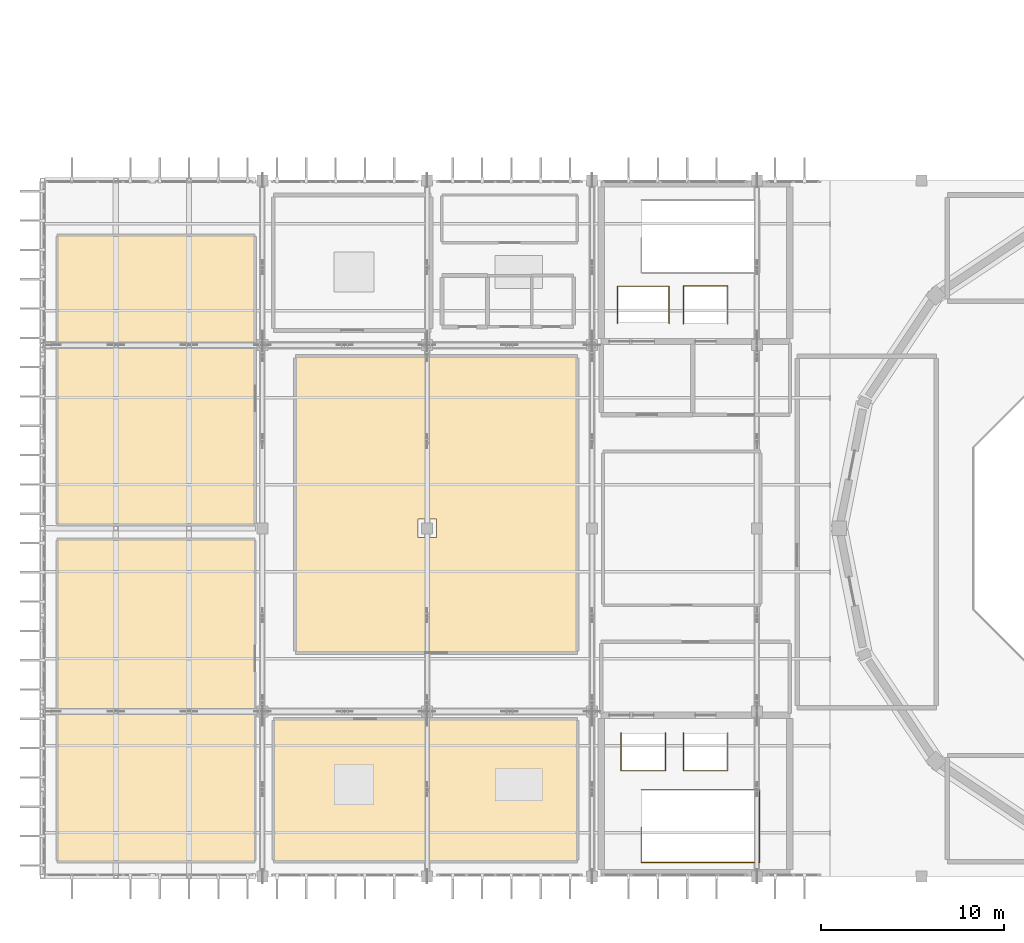
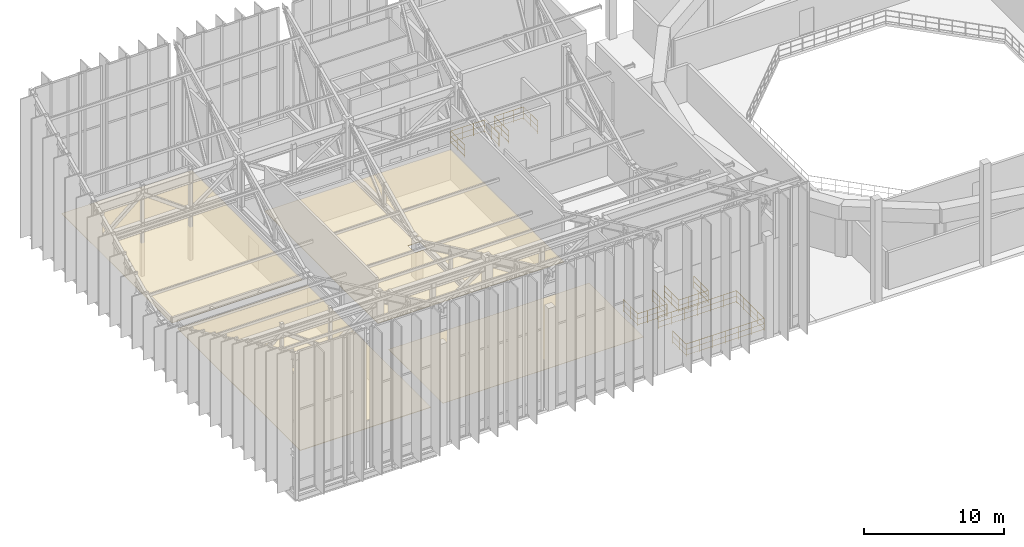
# One storey, part 66 of 68: 5 railings, 4 coverings.
"""IFC4 building model written with IfcOpenShell, lengths in metres."""

from ifc_helpers import new_model, si_unit, direction, frame, origin, origin_2d, place, context, subcontext, project, spatial, polyline, circle, outline, extrude, material, layer, layer_set, type_object, element, save


model = new_model("IFC4")

# Units and contexts
model_context = context("Model", 3, precision=1e-05, world=origin(), true_north=direction((0.0, 1.0)))
body_context = subcontext(model_context, "Body", "Model", "MODEL_VIEW")
ifc_project = project(units=[si_unit("LENGTHUNIT", "METRE"), si_unit("AREAUNIT", "SQUARE_METRE"), si_unit("VOLUMEUNIT", "CUBIC_METRE"), si_unit("PLANEANGLEUNIT", "RADIAN"), si_unit("MASSUNIT", "GRAM", prefix="KILO")], contexts=[model_context])

# Site, building, storey
site_placement = place(None, origin())
site = spatial("IfcSite", under=ifc_project, at=site_placement, CompositionType="ELEMENT")
building_placement = place(site_placement, origin())
building = spatial("IfcBuilding", under=site, at=building_placement, Name="Miravela Opera House", CompositionType="ELEMENT")
storey_placement = place(building_placement, frame((0.0, 0.0, 21.760009765625)))
storey = spatial("IfcBuildingStorey", under=building, at=storey_placement, Name="L05", CompositionType="ELEMENT", Elevation=21.760009765625)

# Coverings
ifc_material_1 = material(Name="Perforated hardwood acoustic reflector ceiling", Category="wood")
ifc_layer_1 = layer(ifc_material_1, 0.031982421875)
ifc_layer_set_1 = layer_set([ifc_layer_1])
covering_type_1 = type_object("IfcCoveringType", Name="ARC-CEIL-ACOUSTIC-32", PredefinedType="CEILING", material=ifc_layer_set_1)
covering_1_placement = place(storey_placement, frame((0.0, 0.0, 2.869873046875)))
element("IfcCovering", 1, at=covering_1_placement, inside=storey, type_object=covering_type_1, Name="Archival Libretto Reading Room Acoustic Ceiling", PredefinedType="CEILING", context=body_context, shape_type="SweptSolid", body=[
    extrude(outline(polyline([(15.800048828125, 56.199951171875), (26.60009765625, 56.199951171875), (26.60009765625, 72.0), (15.800048828125, 72.0), (15.800048828125, 56.199951171875)])), origin(), (0.0, 0.0, 1.0), 0.0322265625),
])
ifc_material_2 = material(Name="Mineral-wool studio acoustic ceiling cloud")
ifc_layer_2 = layer(ifc_material_2, 0.050048828125)
ifc_layer_set_2 = layer_set([ifc_layer_2])
covering_type_2 = type_object("IfcCoveringType", Name="ARC-CEIL-BAFFLE-50", PredefinedType="CEILING", material=ifc_layer_set_2)
covering_2_placement = place(storey_placement, frame((0.0, 0.0, 2.869873046875)))
element("IfcCovering", 2, at=covering_2_placement, inside=storey, type_object=covering_type_2, Name="Chamber Music Ensemble Studio Acoustic Ceiling", PredefinedType="CEILING", context=body_context, shape_type="SweptSolid", body=[
    extrude(outline(polyline([(15.800048828125, 37.800048828125), (26.60009765625, 37.800048828125), (26.60009765625, 55.39990234375), (15.800048828125, 55.39990234375), (15.800048828125, 37.800048828125)])), origin(), (0.0, 0.0, 1.0), 0.050048828125),
])
ifc_material_3 = material(Name="Spanish Colonial coffered lime-plaster ceiling")
ifc_layer_3 = layer(ifc_material_3, 0.0419921875)
ifc_layer_set_3 = layer_set([ifc_layer_3])
covering_type_3 = type_object("IfcCoveringType", Name="ARC-CEIL-COFFER-42", PredefinedType="CEILING", material=ifc_layer_set_3)
covering_3_placement = place(storey_placement, frame((0.0, 0.0, 2.531005859375)))
element("IfcCovering", 3, at=covering_3_placement, inside=storey, type_object=covering_type_3, Name="Dramaturgy and Libretto Research Office Acoustic Ceiling", PredefinedType="CEILING", context=body_context, shape_type="SweptSolid", body=[
    extrude(outline(polyline([(28.800048828125, 49.199951171875), (44.199951171875, 49.199951171875), (44.199951171875, 65.39990234375), (28.800048828125, 65.39990234375), (28.800048828125, 49.199951171875)]), holes=[polyline([(35.49560546875, 55.49560546875), (36.50439453125, 55.49560546875), (36.50439453125, 56.50439453125), (35.49560546875, 56.50439453125), (35.49560546875, 55.49560546875)])]), origin(), (0.0, 0.0, 1.0), 0.0419921875),
])
ifc_material_4 = material(Name="Suspended acoustic gypsum board ceiling")
ifc_layer_4 = layer(ifc_material_4, 0.02392578125)
ifc_layer_set_4 = layer_set([ifc_layer_4])
covering_type_4 = type_object("IfcCoveringType", Name="ARC-CEIL-GYPSUM-24", PredefinedType="CEILING", material=ifc_layer_set_4)
covering_4_placement = place(storey_placement, frame((0.0, 0.0, 2.869873046875)))
element("IfcCovering", 4, at=covering_4_placement, inside=storey, type_object=covering_type_4, Name="Acoustic Recording and Mastering Suite Acoustic Ceiling", PredefinedType="CEILING", context=body_context, shape_type="SweptSolid", body=[
    extrude(outline(polyline([(27.60009765625, 37.800048828125), (44.199951171875, 37.800048828125), (44.199951171875, 45.60009765625), (27.60009765625, 45.60009765625), (27.60009765625, 37.800048828125)])), origin(), (0.0, 0.0, 1.0), 0.024169921875),
])

# Railings
ifc_material_5 = material(Name="Painted wrought-iron stair guardrail")
railing_type = type_object("IfcRailingType", Name="ARC-RAIL-STAIR-GUARD", PredefinedType="GUARDRAIL", material=ifc_material_5)
railing_1_placement = place(storey_placement, frame((47.68994140625, 39.669921875, 0.0)))
element("IfcRailing", 5, at=railing_1_placement, inside=storey, type_object=railing_type, Name="Stair ST-02 Well Slab Opening Guard (L05) 0024", PredefinedType="GUARDRAIL", context=body_context, shape_type="SweptSolid", body=[
    extrude(circle(Radius=0.02392578125, at=origin_2d()), frame((0.0, 0.0, 1.076171875), z_axis=(0.0, -1.0, 0.0), x_axis=(1.0, 0.0, 0.0)), (0.0, 0.0, 1.0), 1.919921875),
    extrude(circle(Radius=0.01611328125, at=origin_2d()), frame((0.0, 0.0, 0.60498046875), z_axis=(0.0, -1.0, 0.0), x_axis=(1.0, 0.0, 0.0)), (0.0, 0.0, 1.0), 1.919921875),
    extrude(circle(Radius=0.01611328125, at=origin_2d()), frame((0.0, 0.0, 0.1201171875), z_axis=(0.0, -1.0, 0.0), x_axis=(1.0, 0.0, 0.0)), (0.0, 0.0, 1.0), 1.919921875),
    extrude(circle(Radius=0.02392578125, at=origin_2d()), frame((0.0, -1.919921875, 1.076171875), z_axis=(1.0, 0.0, 0.0), x_axis=(0.0, 1.0, 0.0)), (0.0, 0.0, 1.0), 6.4599609375),
    extrude(circle(Radius=0.01611328125, at=origin_2d()), frame((0.0, -1.919921875, 0.60498046875), z_axis=(1.0, 0.0, 0.0), x_axis=(0.0, 1.0, 0.0)), (0.0, 0.0, 1.0), 6.4599609375),
    extrude(circle(Radius=0.01611328125, at=origin_2d()), frame((0.0, -1.919921875, 0.1201171875), z_axis=(1.0, 0.0, 0.0), x_axis=(0.0, 1.0, 0.0)), (0.0, 0.0, 1.0), 6.4599609375),
    extrude(circle(Radius=0.02392578125, at=origin_2d()), frame((6.4599609375, -1.919921875, 1.076171875), z_axis=(0.0, 1.0, 0.0), x_axis=(-1.0, 0.0, 0.0)), (0.0, 0.0, 1.0), 3.97998046875),
    extrude(circle(Radius=0.01611328125, at=origin_2d()), frame((6.4599609375, -1.919921875, 0.60498046875), z_axis=(0.0, 1.0, 0.0), x_axis=(-1.0, 0.0, 0.0)), (0.0, 0.0, 1.0), 3.97998046875),
    extrude(circle(Radius=0.01611328125, at=origin_2d()), frame((6.4599609375, -1.919921875, 0.1201171875), z_axis=(0.0, 1.0, 0.0), x_axis=(-1.0, 0.0, 0.0)), (0.0, 0.0, 1.0), 3.97998046875),
    extrude(circle(Radius=0.02392578125, at=origin_2d()), frame((6.4599609375, 2.06005859375, 1.076171875), z_axis=(-1.0, 0.0, 0.0), x_axis=(0.0, -1.0, 0.0)), (0.0, 0.0, 1.0), 6.4599609375),
    extrude(circle(Radius=0.01611328125, at=origin_2d()), frame((6.4599609375, 2.06005859375, 0.60498046875), z_axis=(-1.0, 0.0, 0.0), x_axis=(0.0, -1.0, 0.0)), (0.0, 0.0, 1.0), 6.4599609375),
    extrude(circle(Radius=0.01611328125, at=origin_2d()), frame((6.4599609375, 2.06005859375, 0.1201171875), z_axis=(-1.0, 0.0, 0.0), x_axis=(0.0, -1.0, 0.0)), (0.0, 0.0, 1.0), 6.4599609375),
    extrude(circle(Radius=0.02099609375, at=origin_2d()), origin(), (0.0, 0.0, 1.0), 1.052001953125),
    extrude(circle(Radius=0.02099609375, at=origin_2d()), frame((0.0, -0.9599609375, 0.0)), (0.0, 0.0, 1.0), 1.052001953125),
    extrude(circle(Radius=0.02099609375, at=origin_2d()), frame((0.0, -1.919921875, 0.0)), (0.0, 0.0, 1.0), 1.052001953125),
    extrude(circle(Radius=0.02099609375, at=origin_2d()), frame((1.07666015625, -1.919921875, 0.0)), (0.0, 0.0, 1.0), 1.052001953125),
    extrude(circle(Radius=0.02099609375, at=origin_2d()), frame((2.1533203125, -1.919921875, 0.0)), (0.0, 0.0, 1.0), 1.052001953125),
    extrude(circle(Radius=0.02099609375, at=origin_2d()), frame((3.22998046875, -1.919921875, 0.0)), (0.0, 0.0, 1.0), 1.052001953125),
    extrude(circle(Radius=0.02099609375, at=origin_2d()), frame((4.306640625, -1.919921875, 0.0)), (0.0, 0.0, 1.0), 1.052001953125),
    extrude(circle(Radius=0.02099609375, at=origin_2d()), frame((5.38330078125, -1.919921875, 0.0)), (0.0, 0.0, 1.0), 1.052001953125),
    extrude(circle(Radius=0.02099609375, at=origin_2d()), frame((6.4599609375, -1.919921875, 0.0)), (0.0, 0.0, 1.0), 1.052001953125),
    extrude(circle(Radius=0.02099609375, at=origin_2d()), frame((6.4599609375, -0.9248046875, 0.0)), (0.0, 0.0, 1.0), 1.052001953125),
    extrude(circle(Radius=0.02099609375, at=origin_2d()), frame((6.4599609375, 0.070068359375, 0.0)), (0.0, 0.0, 1.0), 1.052001953125),
    extrude(circle(Radius=0.02099609375, at=origin_2d()), frame((6.4599609375, 1.06494140625, 0.0)), (0.0, 0.0, 1.0), 1.052001953125),
    extrude(circle(Radius=0.02099609375, at=origin_2d()), frame((6.4599609375, 2.06005859375, 0.0)), (0.0, 0.0, 1.0), 1.052001953125),
    extrude(circle(Radius=0.02099609375, at=origin_2d()), frame((5.38330078125, 2.06005859375, 0.0)), (0.0, 0.0, 1.0), 1.052001953125),
    extrude(circle(Radius=0.02099609375, at=origin_2d()), frame((4.306640625, 2.06005859375, 0.0)), (0.0, 0.0, 1.0), 1.052001953125),
    extrude(circle(Radius=0.02099609375, at=origin_2d()), frame((3.22998046875, 2.06005859375, 0.0)), (0.0, 0.0, 1.0), 1.052001953125),
    extrude(circle(Radius=0.02099609375, at=origin_2d()), frame((2.1533203125, 2.06005859375, 0.0)), (0.0, 0.0, 1.0), 1.052001953125),
    extrude(circle(Radius=0.02099609375, at=origin_2d()), frame((1.07666015625, 2.06005859375, 0.0)), (0.0, 0.0, 1.0), 1.052001953125),
    extrude(circle(Radius=0.02099609375, at=origin_2d()), frame((0.0, 2.06005859375, 0.0)), (0.0, 0.0, 1.0), 1.052001953125),
])
railing_2_placement = place(storey_placement, frame((46.389892578125, 67.18505859375, 0.0)))
element("IfcRailing", 6, at=railing_2_placement, inside=storey, type_object=railing_type, Name="Lift FFL-01 Hoistway Slab Opening Guard (L05) 0098", PredefinedType="GUARDRAIL", context=body_context, shape_type="SweptSolid", body=[
    extrude(circle(Radius=0.02392578125, at=origin_2d()), frame((0.0, 0.0, 1.076171875), z_axis=(0.0, 1.0, 0.0), x_axis=(-1.0, 0.0, 0.0)), (0.0, 0.0, 1.0), 2.030029296875),
    extrude(circle(Radius=0.01611328125, at=origin_2d()), frame((0.0, 0.0, 0.60498046875), z_axis=(0.0, 1.0, 0.0), x_axis=(-1.0, 0.0, 0.0)), (0.0, 0.0, 1.0), 2.030029296875),
    extrude(circle(Radius=0.01611328125, at=origin_2d()), frame((0.0, 0.0, 0.1201171875), z_axis=(0.0, 1.0, 0.0), x_axis=(-1.0, 0.0, 0.0)), (0.0, 0.0, 1.0), 2.030029296875),
    extrude(circle(Radius=0.02392578125, at=origin_2d()), frame((0.0, 2.030029296875, 1.076171875), z_axis=(1.0, 0.0, 0.0), x_axis=(0.0, 1.0, 0.0)), (0.0, 0.0, 1.0), 2.820068359375),
    extrude(circle(Radius=0.01611328125, at=origin_2d()), frame((0.0, 2.030029296875, 0.60498046875), z_axis=(1.0, 0.0, 0.0), x_axis=(0.0, 1.0, 0.0)), (0.0, 0.0, 1.0), 2.820068359375),
    extrude(circle(Radius=0.01611328125, at=origin_2d()), frame((0.0, 2.030029296875, 0.1201171875), z_axis=(1.0, 0.0, 0.0), x_axis=(0.0, 1.0, 0.0)), (0.0, 0.0, 1.0), 2.820068359375),
    extrude(circle(Radius=0.02392578125, at=origin_2d()), frame((2.820068359375, 2.030029296875, 1.076171875), z_axis=(0.0, -1.0, 0.0), x_axis=(1.0, 0.0, 0.0)), (0.0, 0.0, 1.0), 2.030029296875),
    extrude(circle(Radius=0.01611328125, at=origin_2d()), frame((2.820068359375, 2.030029296875, 0.60498046875), z_axis=(0.0, -1.0, 0.0), x_axis=(1.0, 0.0, 0.0)), (0.0, 0.0, 1.0), 2.030029296875),
    extrude(circle(Radius=0.01611328125, at=origin_2d()), frame((2.820068359375, 2.030029296875, 0.1201171875), z_axis=(0.0, -1.0, 0.0), x_axis=(1.0, 0.0, 0.0)), (0.0, 0.0, 1.0), 2.030029296875),
    extrude(circle(Radius=0.02099609375, at=origin_2d()), origin(), (0.0, 0.0, 1.0), 1.052001953125),
    extrude(circle(Radius=0.02099609375, at=origin_2d()), frame((0.0, 1.01513671875, 0.0)), (0.0, 0.0, 1.0), 1.052001953125),
    extrude(circle(Radius=0.02099609375, at=origin_2d()), frame((0.0, 2.030029296875, 0.0)), (0.0, 0.0, 1.0), 1.052001953125),
    extrude(circle(Radius=0.02099609375, at=origin_2d()), frame((0.93994140625, 2.030029296875, 0.0)), (0.0, 0.0, 1.0), 1.052001953125),
    extrude(circle(Radius=0.02099609375, at=origin_2d()), frame((1.880126953125, 2.030029296875, 0.0)), (0.0, 0.0, 1.0), 1.052001953125),
    extrude(circle(Radius=0.02099609375, at=origin_2d()), frame((2.820068359375, 2.030029296875, 0.0)), (0.0, 0.0, 1.0), 1.052001953125),
    extrude(circle(Radius=0.02099609375, at=origin_2d()), frame((2.820068359375, 1.01513671875, 0.0)), (0.0, 0.0, 1.0), 1.052001953125),
    extrude(circle(Radius=0.02099609375, at=origin_2d()), frame((2.820068359375, 0.0, 0.0)), (0.0, 0.0, 1.0), 1.052001953125),
])
railing_3_placement = place(storey_placement, frame((49.989990234375, 67.159912109375, 0.0)))
element("IfcRailing", 7, at=railing_3_placement, inside=storey, type_object=railing_type, Name="Lift PL-01 Hoistway Slab Opening Guard (L05) 0104", PredefinedType="GUARDRAIL", context=body_context, shape_type="SweptSolid", body=[
    extrude(circle(Radius=0.02392578125, at=origin_2d()), frame((0.0, 0.0, 1.076171875), z_axis=(0.0, 1.0, 0.0), x_axis=(-1.0, 0.0, 0.0)), (0.0, 0.0, 1.0), 2.080078125),
    extrude(circle(Radius=0.01611328125, at=origin_2d()), frame((0.0, 0.0, 0.60498046875), z_axis=(0.0, 1.0, 0.0), x_axis=(-1.0, 0.0, 0.0)), (0.0, 0.0, 1.0), 2.080078125),
    extrude(circle(Radius=0.01611328125, at=origin_2d()), frame((0.0, 0.0, 0.1201171875), z_axis=(0.0, 1.0, 0.0), x_axis=(-1.0, 0.0, 0.0)), (0.0, 0.0, 1.0), 2.080078125),
    extrude(circle(Radius=0.02392578125, at=origin_2d()), frame((0.0, 2.080078125, 1.076171875), z_axis=(1.0, 0.0, 0.0), x_axis=(0.0, 1.0, 0.0)), (0.0, 0.0, 1.0), 2.419921875),
    extrude(circle(Radius=0.01611328125, at=origin_2d()), frame((0.0, 2.080078125, 0.60498046875), z_axis=(1.0, 0.0, 0.0), x_axis=(0.0, 1.0, 0.0)), (0.0, 0.0, 1.0), 2.419921875),
    extrude(circle(Radius=0.01611328125, at=origin_2d()), frame((0.0, 2.080078125, 0.1201171875), z_axis=(1.0, 0.0, 0.0), x_axis=(0.0, 1.0, 0.0)), (0.0, 0.0, 1.0), 2.419921875),
    extrude(circle(Radius=0.02392578125, at=origin_2d()), frame((2.419921875, 2.080078125, 1.076171875), z_axis=(0.0, -1.0, 0.0), x_axis=(1.0, 0.0, 0.0)), (0.0, 0.0, 1.0), 2.080078125),
    extrude(circle(Radius=0.01611328125, at=origin_2d()), frame((2.419921875, 2.080078125, 0.60498046875), z_axis=(0.0, -1.0, 0.0), x_axis=(1.0, 0.0, 0.0)), (0.0, 0.0, 1.0), 2.080078125),
    extrude(circle(Radius=0.01611328125, at=origin_2d()), frame((2.419921875, 2.080078125, 0.1201171875), z_axis=(0.0, -1.0, 0.0), x_axis=(1.0, 0.0, 0.0)), (0.0, 0.0, 1.0), 2.080078125),
    extrude(circle(Radius=0.02099609375, at=origin_2d()), origin(), (0.0, 0.0, 1.0), 1.052001953125),
    extrude(circle(Radius=0.02099609375, at=origin_2d()), frame((0.0, 1.0400390625, 0.0)), (0.0, 0.0, 1.0), 1.052001953125),
    extrude(circle(Radius=0.02099609375, at=origin_2d()), frame((0.0, 2.080078125, 0.0)), (0.0, 0.0, 1.0), 1.052001953125),
    extrude(circle(Radius=0.02099609375, at=origin_2d()), frame((0.806640625, 2.080078125, 0.0)), (0.0, 0.0, 1.0), 1.052001953125),
    extrude(circle(Radius=0.02099609375, at=origin_2d()), frame((1.61328125, 2.080078125, 0.0)), (0.0, 0.0, 1.0), 1.052001953125),
    extrude(circle(Radius=0.02099609375, at=origin_2d()), frame((2.419921875, 2.080078125, 0.0)), (0.0, 0.0, 1.0), 1.052001953125),
    extrude(circle(Radius=0.02099609375, at=origin_2d()), frame((2.419921875, 1.0400390625, 0.0)), (0.0, 0.0, 1.0), 1.052001953125),
    extrude(circle(Radius=0.02099609375, at=origin_2d()), frame((2.419921875, 0.0, 0.0)), (0.0, 0.0, 1.0), 1.052001953125),
])
railing_4_placement = place(storey_placement, frame((46.590087890625, 44.840087890625, 0.0)))
element("IfcRailing", 8, at=railing_4_placement, inside=storey, type_object=railing_type, Name="Lift PL-02 Hoistway Slab Opening Guard (L05) 0110", PredefinedType="GUARDRAIL", context=body_context, shape_type="SweptSolid", body=[
    extrude(circle(Radius=0.02392578125, at=origin_2d()), frame((0.0, 0.0, 1.076171875), z_axis=(0.0, -1.0, 0.0), x_axis=(1.0, 0.0, 0.0)), (0.0, 0.0, 1.0), 2.0751953125),
    extrude(circle(Radius=0.01611328125, at=origin_2d()), frame((0.0, 0.0, 0.60498046875), z_axis=(0.0, -1.0, 0.0), x_axis=(1.0, 0.0, 0.0)), (0.0, 0.0, 1.0), 2.0751953125),
    extrude(circle(Radius=0.01611328125, at=origin_2d()), frame((0.0, 0.0, 0.1201171875), z_axis=(0.0, -1.0, 0.0), x_axis=(1.0, 0.0, 0.0)), (0.0, 0.0, 1.0), 2.0751953125),
    extrude(circle(Radius=0.02392578125, at=origin_2d()), frame((0.0, -2.0751953125, 1.076171875), z_axis=(1.0, 0.0, 0.0), x_axis=(0.0, 1.0, 0.0)), (0.0, 0.0, 1.0), 2.419921875),
    extrude(circle(Radius=0.01611328125, at=origin_2d()), frame((0.0, -2.0751953125, 0.60498046875), z_axis=(1.0, 0.0, 0.0), x_axis=(0.0, 1.0, 0.0)), (0.0, 0.0, 1.0), 2.419921875),
    extrude(circle(Radius=0.01611328125, at=origin_2d()), frame((0.0, -2.0751953125, 0.1201171875), z_axis=(1.0, 0.0, 0.0), x_axis=(0.0, 1.0, 0.0)), (0.0, 0.0, 1.0), 2.419921875),
    extrude(circle(Radius=0.02392578125, at=origin_2d()), frame((2.419921875, -2.0751953125, 1.076171875), z_axis=(0.0, 1.0, 0.0), x_axis=(-1.0, 0.0, 0.0)), (0.0, 0.0, 1.0), 2.0751953125),
    extrude(circle(Radius=0.01611328125, at=origin_2d()), frame((2.419921875, -2.0751953125, 0.60498046875), z_axis=(0.0, 1.0, 0.0), x_axis=(-1.0, 0.0, 0.0)), (0.0, 0.0, 1.0), 2.0751953125),
    extrude(circle(Radius=0.01611328125, at=origin_2d()), frame((2.419921875, -2.0751953125, 0.1201171875), z_axis=(0.0, 1.0, 0.0), x_axis=(-1.0, 0.0, 0.0)), (0.0, 0.0, 1.0), 2.0751953125),
    extrude(circle(Radius=0.02099609375, at=origin_2d()), origin(), (0.0, 0.0, 1.0), 1.052001953125),
    extrude(circle(Radius=0.02099609375, at=origin_2d()), frame((0.0, -1.03759765625, 0.0)), (0.0, 0.0, 1.0), 1.052001953125),
    extrude(circle(Radius=0.02099609375, at=origin_2d()), frame((0.0, -2.0751953125, 0.0)), (0.0, 0.0, 1.0), 1.052001953125),
    extrude(circle(Radius=0.02099609375, at=origin_2d()), frame((0.806640625, -2.0751953125, 0.0)), (0.0, 0.0, 1.0), 1.052001953125),
    extrude(circle(Radius=0.02099609375, at=origin_2d()), frame((1.61328125, -2.0751953125, 0.0)), (0.0, 0.0, 1.0), 1.052001953125),
    extrude(circle(Radius=0.02099609375, at=origin_2d()), frame((2.419921875, -2.0751953125, 0.0)), (0.0, 0.0, 1.0), 1.052001953125),
    extrude(circle(Radius=0.02099609375, at=origin_2d()), frame((2.419921875, -1.03759765625, 0.0)), (0.0, 0.0, 1.0), 1.052001953125),
    extrude(circle(Radius=0.02099609375, at=origin_2d()), frame((2.419921875, 0.0, 0.0)), (0.0, 0.0, 1.0), 1.052001953125),
])
railing_5_placement = place(storey_placement, frame((49.989990234375, 44.840087890625, 0.0)))
element("IfcRailing", 9, at=railing_5_placement, inside=storey, type_object=railing_type, Name="Lift PL-03 Hoistway Slab Opening Guard (L05) 0116", PredefinedType="GUARDRAIL", context=body_context, shape_type="SweptSolid", body=[
    extrude(circle(Radius=0.02392578125, at=origin_2d()), frame((0.0, 0.0, 1.076171875), z_axis=(0.0, -1.0, 0.0), x_axis=(1.0, 0.0, 0.0)), (0.0, 0.0, 1.0), 2.0751953125),
    extrude(circle(Radius=0.01611328125, at=origin_2d()), frame((0.0, 0.0, 0.60498046875), z_axis=(0.0, -1.0, 0.0), x_axis=(1.0, 0.0, 0.0)), (0.0, 0.0, 1.0), 2.0751953125),
    extrude(circle(Radius=0.01611328125, at=origin_2d()), frame((0.0, 0.0, 0.1201171875), z_axis=(0.0, -1.0, 0.0), x_axis=(1.0, 0.0, 0.0)), (0.0, 0.0, 1.0), 2.0751953125),
    extrude(circle(Radius=0.02392578125, at=origin_2d()), frame((0.0, -2.0751953125, 1.076171875), z_axis=(1.0, 0.0, 0.0), x_axis=(0.0, 1.0, 0.0)), (0.0, 0.0, 1.0), 2.419921875),
    extrude(circle(Radius=0.01611328125, at=origin_2d()), frame((0.0, -2.0751953125, 0.60498046875), z_axis=(1.0, 0.0, 0.0), x_axis=(0.0, 1.0, 0.0)), (0.0, 0.0, 1.0), 2.419921875),
    extrude(circle(Radius=0.01611328125, at=origin_2d()), frame((0.0, -2.0751953125, 0.1201171875), z_axis=(1.0, 0.0, 0.0), x_axis=(0.0, 1.0, 0.0)), (0.0, 0.0, 1.0), 2.419921875),
    extrude(circle(Radius=0.02392578125, at=origin_2d()), frame((2.419921875, -2.0751953125, 1.076171875), z_axis=(0.0, 1.0, 0.0), x_axis=(-1.0, 0.0, 0.0)), (0.0, 0.0, 1.0), 2.0751953125),
    extrude(circle(Radius=0.01611328125, at=origin_2d()), frame((2.419921875, -2.0751953125, 0.60498046875), z_axis=(0.0, 1.0, 0.0), x_axis=(-1.0, 0.0, 0.0)), (0.0, 0.0, 1.0), 2.0751953125),
    extrude(circle(Radius=0.01611328125, at=origin_2d()), frame((2.419921875, -2.0751953125, 0.1201171875), z_axis=(0.0, 1.0, 0.0), x_axis=(-1.0, 0.0, 0.0)), (0.0, 0.0, 1.0), 2.0751953125),
    extrude(circle(Radius=0.02099609375, at=origin_2d()), origin(), (0.0, 0.0, 1.0), 1.052001953125),
    extrude(circle(Radius=0.02099609375, at=origin_2d()), frame((0.0, -1.03759765625, 0.0)), (0.0, 0.0, 1.0), 1.052001953125),
    extrude(circle(Radius=0.02099609375, at=origin_2d()), frame((0.0, -2.0751953125, 0.0)), (0.0, 0.0, 1.0), 1.052001953125),
    extrude(circle(Radius=0.02099609375, at=origin_2d()), frame((0.806640625, -2.0751953125, 0.0)), (0.0, 0.0, 1.0), 1.052001953125),
    extrude(circle(Radius=0.02099609375, at=origin_2d()), frame((1.61328125, -2.0751953125, 0.0)), (0.0, 0.0, 1.0), 1.052001953125),
    extrude(circle(Radius=0.02099609375, at=origin_2d()), frame((2.419921875, -2.0751953125, 0.0)), (0.0, 0.0, 1.0), 1.052001953125),
    extrude(circle(Radius=0.02099609375, at=origin_2d()), frame((2.419921875, -1.03759765625, 0.0)), (0.0, 0.0, 1.0), 1.052001953125),
    extrude(circle(Radius=0.02099609375, at=origin_2d()), frame((2.419921875, 0.0, 0.0)), (0.0, 0.0, 1.0), 1.052001953125),
])

save(model, "model.ifc")
